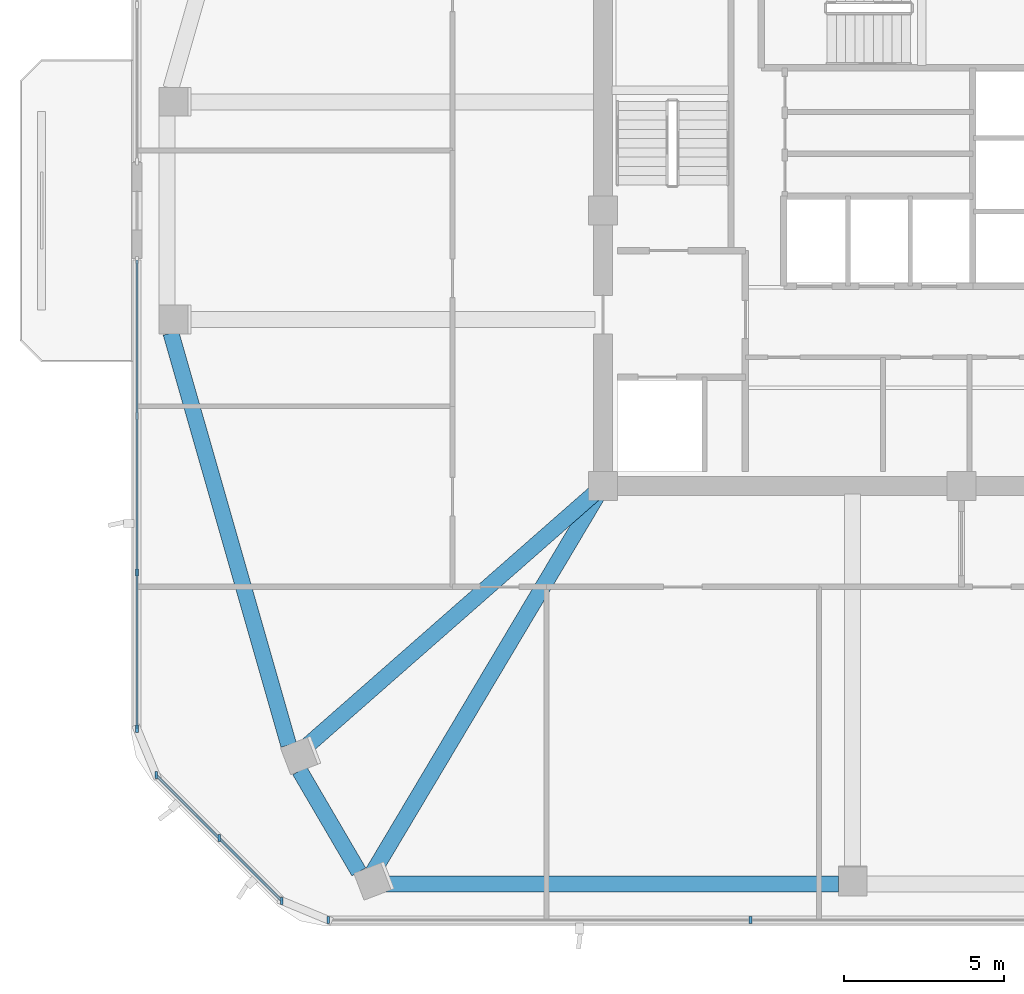
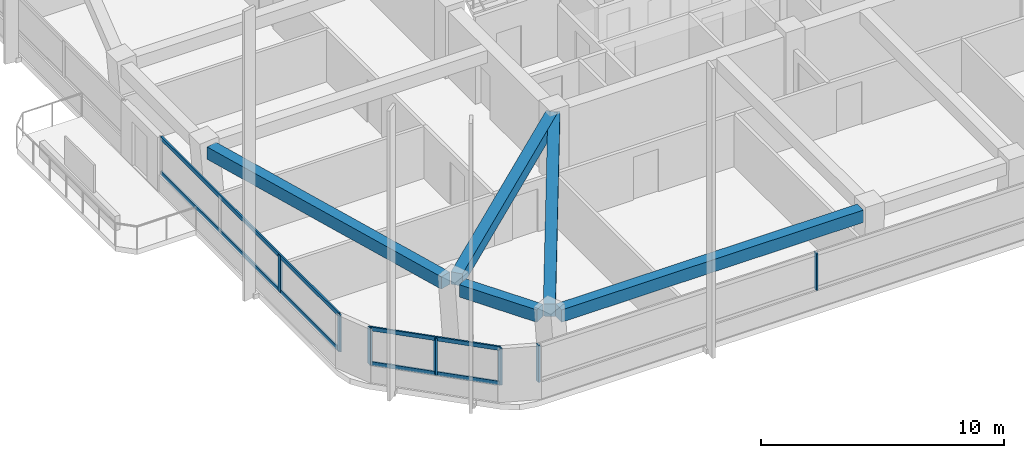
# One storey, part 2 of 17: 11 members, 5 beams, 3 elements without a shape of their own.
"""IFC4 building model written with IfcOpenShell, lengths in metres."""

import ifcopenshell
import ifcopenshell.guid

model = None  # the IFC model being written
_history = None  # IfcOwnerHistory: only IFC2X3 demands one
_inside = {}  # id of a spatial element -> (the spatial element, [elements in it])
_under = {}  # id of a project, library or spatial element -> (it, [spatial elements below it])
_declared = {}  # id of a project -> (the project, [libraries it declares])
_typed = {}  # id of a type object -> (the type object, [elements of that type])
_made_of = {}  # id of a material, layer set ... -> (it, [elements and type objects made of it])


def new_model(schema):
    """Start an empty IFC model of exactly this schema.

    Asked for "IFC4X3", IfcOpenShell would pick the latest addendum, in which some entities
    have other attributes; the version numbers below select the first issue.
    IFC2X3 requires an IfcOwnerHistory on every rooted entity: one is made here for all.
    """
    global model, _history
    if schema == "IFC4X3":
        model = ifcopenshell.file(schema_version=(4, 3, 0, 0))
    else:
        model = ifcopenshell.file(schema=schema)
    _inside.clear()
    _under.clear()
    _declared.clear()
    _typed.clear()
    _made_of.clear()
    _history = None
    if model.schema == "IFC2X3":
        org = make("IfcOrganization", Name="unknown")
        user = make(
            "IfcPersonAndOrganization",
            ThePerson=make("IfcPerson", FamilyName="unknown"),
            TheOrganization=org,
        )
        app = make(
            "IfcApplication",
            ApplicationDeveloper=org,
            Version="unknown",
            ApplicationFullName="unknown",
            ApplicationIdentifier="unknown",
        )
        _history = make(
            "IfcOwnerHistory",
            OwningUser=user,
            OwningApplication=app,
            ChangeAction="ADDED",
            CreationDate=0,
        )
    return model


def make(cls, **values):
    """One entity of the class cls with the attributes given. An attribute that is None is left unset."""
    return model.create_entity(
        cls, **{name: value for name, value in values.items() if value is not None}
    )


def rooted(cls, **values):
    """An entity with a GlobalId (a new one), such as an element, a storey or a relation."""
    return make(cls, GlobalId=ifcopenshell.guid.new(), OwnerHistory=_history, **values)


def si_unit(unit_type, name, prefix=None):
    """IfcSIUnit, for example si_unit("LENGTHUNIT", "METRE", prefix="MILLI")."""
    return make("IfcSIUnit", UnitType=unit_type, Prefix=prefix, Name=name)


def derived_unit(unit_type, elements):
    """IfcDerivedUnit: a product of units, each with its exponent."""
    return make(
        "IfcDerivedUnit",
        Elements=[
            make("IfcDerivedUnitElement", Unit=unit, Exponent=power)
            for unit, power in elements
        ],
        UnitType=unit_type,
    )


def assignment(units):
    """IfcUnitAssignment: the units of a project."""
    return None if units is None else make("IfcUnitAssignment", Units=units)


def point(xyz):
    """IfcCartesianPoint."""
    return None if xyz is None else make("IfcCartesianPoint", Coordinates=xyz)


def direction(xyz):
    """IfcDirection."""
    return None if xyz is None else make("IfcDirection", DirectionRatios=xyz)


def frame(location, z_axis=None, x_axis=None):
    """IfcAxis2Placement3D, a coordinate frame: its origin and axes. An axis left out is left unset."""
    return make(
        "IfcAxis2Placement3D",
        Location=point(location),
        Axis=direction(z_axis),
        RefDirection=direction(x_axis),
    )


def frame_2d(location, x_axis=None):
    """IfcAxis2Placement2D, a coordinate frame in the plane: its origin and x axis."""
    return make(
        "IfcAxis2Placement2D", Location=point(location), RefDirection=direction(x_axis)
    )


def origin():
    """The frame at (0, 0, 0) with its axes left unset."""
    return frame((0.0, 0.0, 0.0))


def origin_2d():
    """The frame at (0, 0) in the plane with its x axis left unset."""
    return frame_2d((0.0, 0.0))


def place(relative_to, where):
    """IfcLocalPlacement: puts the frame where relative to a parent placement (None: the world)."""
    return make(
        "IfcLocalPlacement", PlacementRelTo=relative_to, RelativePlacement=where
    )


def context(
    kind, dimensions, precision=None, world=None, true_north=None, identifier=None
):
    """IfcGeometricRepresentationContext, for example the 3D "Model" context."""
    return make(
        "IfcGeometricRepresentationContext",
        ContextIdentifier=identifier,
        ContextType=kind,
        CoordinateSpaceDimension=dimensions,
        Precision=precision,
        WorldCoordinateSystem=world,
        TrueNorth=true_north,
    )


def subcontext(parent, identifier, kind, view, scale=None):
    """IfcGeometricRepresentationSubContext, for example "Body" below "Model"."""
    return make(
        "IfcGeometricRepresentationSubContext",
        ContextIdentifier=identifier,
        ContextType=kind,
        ParentContext=parent,
        TargetScale=scale,
        TargetView=view,
    )


def project(units=None, contexts=None):
    """IfcProject with its units and contexts."""
    return rooted(
        "IfcProject",
        Name="project",
        RepresentationContexts=contexts,
        UnitsInContext=assignment(units),
    )


def spatial(cls, under=None, at=None, **own):
    """A site, building, storey or space (cls), placed at a placement, below another one or the project."""
    s = rooted(cls, ObjectPlacement=at, **own)
    if under is not None:
        _under.setdefault(under.id(), (under, []))[1].append(s)
    return s


def profile(cls, at=None, kind="AREA", **sizes):
    """A parametric profile (cls). Its sizes go by their IFC names, for example OverallWidth=200.0."""
    return make(cls, ProfileType=kind, Position=at, **sizes)


def rectangle(**sizes):
    """IfcRectangleProfileDef."""
    return profile("IfcRectangleProfileDef", **sizes)


def extrude(swept, where, along, depth):
    """IfcExtrudedAreaSolid: the profile swept, set in the frame where, extruded along a direction by depth."""
    return make(
        "IfcExtrudedAreaSolid",
        SweptArea=swept,
        Position=where,
        ExtrudedDirection=direction(along),
        Depth=depth,
    )


def shape(context_of_items, identifier, shape_type, items):
    """IfcShapeRepresentation: the items that make up one representation, for example the "Body"."""
    return make(
        "IfcShapeRepresentation",
        ContextOfItems=context_of_items,
        RepresentationIdentifier=identifier,
        RepresentationType=shape_type,
        Items=items,
    )


def material(Name=None, Category=None):
    """IfcMaterial."""
    return make("IfcMaterial", Name=Name, Category=Category)


def material_profile(
    of_material, cross_section, Name=None, Category=None, Priority=None
):
    """IfcMaterialProfile: a cross section and its material."""
    return make(
        "IfcMaterialProfile",
        Name=Name,
        Material=of_material,
        Profile=cross_section,
        Priority=Priority,
        Category=Category,
    )


def profile_set(profiles, Name=None, composite=None):
    """IfcMaterialProfileSet."""
    return make(
        "IfcMaterialProfileSet",
        Name=Name,
        MaterialProfiles=profiles,
        CompositeProfile=composite,
    )


def made_of(thing, what):
    """Note that an element or type object is made of a material, layer set ...; save() writes the relation."""
    if what is not None:
        _made_of.setdefault(what.id(), (what, []))[1].append(thing)
    return thing


def type_object(cls, material=None, **own):
    """A type object (cls), such as IfcWallType, which elements share."""
    return made_of(rooted(cls, **own), material)


def element(
    cls,
    number,
    at=None,
    inside=None,
    cuts=None,
    type_object=None,
    material=None,
    context=None,
    identifier="Body",
    shape_type=None,
    held_by="IfcProductDefinitionShape",
    body=None,
    shapes=None,
    **own,
):
    """One element of the class cls, such as IfcWall. Its Tag is "e" and its number.

    at: its placement. inside: the storey or other place that contains it. cuts: it is an
    opening in that element (IfcRelVoidsElement). A single representation is given by context,
    identifier, shape_type and body (its items); several are given by shapes. held_by: the class
    of the entity that holds the representations. save() writes the other relations.
    """
    e = rooted(cls, Tag="e%d" % number, ObjectPlacement=at, **own)
    if body is not None:
        shapes = [shape(context, identifier, shape_type, body)]
    if shapes is not None:
        e.Representation = make(held_by, Representations=shapes)
    if inside is not None:
        _inside.setdefault(inside.id(), (inside, []))[1].append(e)
    if cuts is not None:
        rooted(
            "IfcRelVoidsElement", RelatingBuildingElement=cuts, RelatedOpeningElement=e
        )
    if type_object is not None:
        _typed.setdefault(type_object.id(), (type_object, []))[1].append(e)
    return made_of(e, material)


def aggregate(whole, parts):
    """IfcRelAggregates: a whole, such as a stair, and the parts it consists of."""
    return rooted("IfcRelAggregates", RelatingObject=whole, RelatedObjects=parts)


def save(model, path):
    """Write the relations noted so far, then the file.

    IfcRelAggregates (storeys below a building ...), IfcRelContainedInSpatialStructure (elements
    in a storey), IfcRelDefinesByType, IfcRelAssociatesMaterial and IfcRelDeclares: one each for
    every whole, place, type object, material and project.
    """
    for whole, parts in _under.values():
        aggregate(whole, parts)
    for where, things in _inside.values():
        rooted(
            "IfcRelContainedInSpatialStructure",
            RelatedElements=things,
            RelatingStructure=where,
        )
    for kind, things in _typed.values():
        rooted("IfcRelDefinesByType", RelatedObjects=things, RelatingType=kind)
    for what, things in _made_of.values():
        rooted("IfcRelAssociatesMaterial", RelatedObjects=things, RelatingMaterial=what)
    for by, libraries in _declared.values():
        rooted("IfcRelDeclares", RelatingContext=by, RelatedDefinitions=libraries)
    model.write(path)


model = new_model("IFC4")

# Units and contexts
model_context = context("Model", 3, precision=1e-05, world=origin(), true_north=direction((0.0, 1.0)))
body_context = subcontext(model_context, "Body", "Model", "MODEL_VIEW")
ifc_project = project(units=[si_unit("LENGTHUNIT", "METRE"), si_unit("AREAUNIT", "SQUARE_METRE"), si_unit("VOLUMEUNIT", "CUBIC_METRE"), si_unit("PLANEANGLEUNIT", "RADIAN"), si_unit("MASSUNIT", "GRAM", prefix="KILO"), derived_unit("THERMALTRANSMITTANCEUNIT", [(si_unit("POWERUNIT", "WATT"), 1), (si_unit("LENGTHUNIT", "METRE"), -2), (si_unit("THERMODYNAMICTEMPERATUREUNIT", "KELVIN"), -1)])], contexts=[model_context])

# Site, building, storey
site_placement = place(None, origin())
site = spatial("IfcSite", under=ifc_project, at=site_placement, CompositionType="ELEMENT")
building_placement = place(site_placement, origin())
building = spatial("IfcBuilding", under=site, at=building_placement, Name="Koralith Skygarden Medical Center", CompositionType="ELEMENT")
storey_placement = place(building_placement, frame((0.0, 0.0, 207.179931640625)))
storey = spatial("IfcBuildingStorey", under=building, at=storey_placement, Name="L53", CompositionType="ELEMENT", Elevation=207.179931640625)

# Curtain wall, members
ifc_material_1 = material(Name="Clear Laminated Glass", Category="glass")
curtain_wall_type = type_object("IfcCurtainWallType", Name="CW-5 Zone 4 Flare Biophilic Curtain Wall", PredefinedType="NOTDEFINED", material=ifc_material_1)
curtain_wall_1_placement = place(storey_placement, origin())
curtain_wall_1 = element("IfcCurtainWall", 1, at=curtain_wall_1_placement, inside=storey, type_object=curtain_wall_type, Name="Curtain Wall CW-L53-S", PredefinedType="NOTDEFINED")
ifc_material_2 = material(Name="Aluminium 6063-T6", Category="aluminium")
ifc_material_profile_1 = material_profile(ifc_material_2, rectangle(XDim=0.080078125, YDim=0.219970703125, at=origin_2d()), Name="MUL80X220")
ifc_profile_set_1 = profile_set([ifc_material_profile_1], Name="Aluminium 6063-T6")
member_type_1 = type_object("IfcMemberType", Name="CW-5 Extruded Mullion 80x220", PredefinedType="MULLION", material=ifc_profile_set_1)
member_1_placement = place(storey_placement, frame((17.222900390625, 3.742919921875, 0.85009765625), z_axis=(0.0, 0.0, 1.0), x_axis=(1.0, 0.0, 0.0)))
member_1 = element("IfcMember", 2, at=member_1_placement, type_object=member_type_1, Name="CW-L53-S Mullion 1", PredefinedType="MULLION", context=body_context, shape_type="SweptSolid", body=[
    extrude(rectangle(XDim=0.080078125, YDim=0.219970703125, at=origin_2d()), origin(), (0.0, 0.0, 1.0), 1.840087890625),
])
member_2_placement = place(storey_placement, frame((30.407958984375, 3.742919921875, 0.85009765625), z_axis=(0.0, 0.0, 1.0), x_axis=(1.0, 0.0, 0.0)))
member_2 = element("IfcMember", 3, at=member_2_placement, type_object=member_type_1, Name="CW-L53-S Mullion 2", PredefinedType="MULLION", context=body_context, shape_type="SweptSolid", body=[
    extrude(rectangle(XDim=0.080078125, YDim=0.219970703125, at=origin_2d()), origin(), (0.0, 0.0, 1.0), 1.840087890625),
])
aggregate(curtain_wall_1, [member_1, member_2])

curtain_wall_2_placement = place(storey_placement, origin())
curtain_wall_2 = element("IfcCurtainWall", 4, at=curtain_wall_2_placement, inside=storey, type_object=curtain_wall_type, Name="Curtain Wall CW-L53-W-R", PredefinedType="NOTDEFINED")
member_3_placement = place(storey_placement, frame((11.2470703125, 14.59912109375, 0.85009765625), z_axis=(0.0, 0.0, 1.0), x_axis=(1.0, 0.0, 0.0)))
member_3 = element("IfcMember", 5, at=member_3_placement, type_object=member_type_1, Name="CW-L53-W-R Mullion 3", PredefinedType="MULLION", context=body_context, shape_type="SweptSolid", body=[
    extrude(rectangle(XDim=0.080078125, YDim=0.219970703125, at=origin_2d()), origin(), (0.0, 0.0, 1.0), 1.840087890625),
])
member_4_placement = place(storey_placement, frame((11.2470703125, 9.718017578125, 0.85009765625), z_axis=(0.0, 0.0, 1.0), x_axis=(1.0, 0.0, 0.0)))
member_4 = element("IfcMember", 6, at=member_4_placement, type_object=member_type_1, Name="CW-L53-W-R Mullion 4", PredefinedType="MULLION", context=body_context, shape_type="SweptSolid", body=[
    extrude(rectangle(XDim=0.080078125, YDim=0.219970703125, at=origin_2d()), origin(), (0.0, 0.0, 1.0), 1.840087890625),
])

curtain_wall_3_placement = place(storey_placement, origin())
curtain_wall_3 = element("IfcCurtainWall", 7, at=curtain_wall_3_placement, inside=storey, type_object=curtain_wall_type, Name="Curtain Wall CW-L53-SW", PredefinedType="NOTDEFINED")
member_5_placement = place(storey_placement, frame((11.84912109375, 8.26708984375, 0.85009765625), z_axis=(0.0, 0.0, 1.0), x_axis=(1.0, 0.0, 0.0)))
member_5 = element("IfcMember", 8, at=member_5_placement, type_object=member_type_1, Name="CW-L53-SW Mullion 1", PredefinedType="MULLION", context=body_context, shape_type="SweptSolid", body=[
    extrude(rectangle(XDim=0.080078125, YDim=0.219970703125, at=origin_2d()), origin(), (0.0, 0.0, 1.0), 1.840087890625),
])
member_6_placement = place(storey_placement, frame((13.81103515625, 6.305908203125, 0.85009765625), z_axis=(0.0, 0.0, 1.0), x_axis=(1.0, 0.0, 0.0)))
member_6 = element("IfcMember", 9, at=member_6_placement, type_object=member_type_1, Name="CW-L53-SW Mullion 2", PredefinedType="MULLION", context=body_context, shape_type="SweptSolid", body=[
    extrude(rectangle(XDim=0.080078125, YDim=0.219970703125, at=origin_2d()), origin(), (0.0, 0.0, 1.0), 1.840087890625),
])
member_7_placement = place(storey_placement, frame((15.77197265625, 4.343994140625, 0.85009765625), z_axis=(0.0, 0.0, 1.0), x_axis=(1.0, 0.0, 0.0)))
member_7 = element("IfcMember", 10, at=member_7_placement, type_object=member_type_1, Name="CW-L53-SW Mullion 3", PredefinedType="MULLION", context=body_context, shape_type="SweptSolid", body=[
    extrude(rectangle(XDim=0.080078125, YDim=0.219970703125, at=origin_2d()), origin(), (0.0, 0.0, 1.0), 1.840087890625),
])

# Member
ifc_material_profile_2 = material_profile(ifc_material_2, rectangle(XDim=0.074951171875, YDim=0.197998046875, at=origin_2d()), Name="TRN75X198")
ifc_profile_set_2 = profile_set([ifc_material_profile_2], Name="Aluminium 6063-T6")
member_type_2 = type_object("IfcMemberType", Name="CW-5 Thermal Transom 75x198", PredefinedType="USERDEFINED", material=ifc_profile_set_2)
member_8_placement = place(storey_placement, frame((11.2470703125, 24.361083984375, 0.900146484375), z_axis=(0.0, -1.0, 0.0), x_axis=(1.0, 0.0, 0.0)))
member_8 = element("IfcMember", 11, at=member_8_placement, type_object=member_type_2, Name="CW-L53-W-R Transom 1", ObjectType="TRANSOM", PredefinedType="USERDEFINED", context=body_context, shape_type="SweptSolid", body=[
    extrude(rectangle(XDim=0.074951171875, YDim=0.197998046875, at=origin_2d()), origin(), (0.0, 0.0, 1.0), 14.64306640625),
])

member_9_placement = place(storey_placement, frame((11.2470703125, 24.361083984375, 2.64013671875), z_axis=(0.0, -1.0, 0.0), x_axis=(1.0, 0.0, 0.0)))
member_9 = element("IfcMember", 12, at=member_9_placement, type_object=member_type_2, Name="CW-L53-W-R Transom 2", ObjectType="TRANSOM", PredefinedType="USERDEFINED", context=body_context, shape_type="SweptSolid", body=[
    extrude(rectangle(XDim=0.074951171875, YDim=0.197998046875, at=origin_2d()), origin(), (0.0, 0.0, 1.0), 14.64306640625),
])

aggregate(curtain_wall_2, [member_3, member_4, member_8, member_9])

member_10_placement = place(storey_placement, frame((11.84912109375, 8.26708984375, 0.900146484375), z_axis=(0.707084777957, -0.707128783731, 0.0), x_axis=(0.707128783731, 0.707084777957, 0.0)))
member_10 = element("IfcMember", 13, at=member_10_placement, type_object=member_type_2, Name="CW-L53-SW Transom 1", ObjectType="TRANSOM", PredefinedType="USERDEFINED", context=body_context, shape_type="SweptSolid", body=[
    extrude(rectangle(XDim=0.074951171875, YDim=0.197998046875, at=origin_2d()), origin(), (0.0, 0.0, 1.0), 5.5478515625),
])

member_11_placement = place(storey_placement, frame((11.84912109375, 8.26708984375, 2.64013671875), z_axis=(0.707084777957, -0.707128783731, 0.0), x_axis=(0.707128783731, 0.707084777957, 0.0)))
member_11 = element("IfcMember", 14, at=member_11_placement, type_object=member_type_2, Name="CW-L53-SW Transom 2", ObjectType="TRANSOM", PredefinedType="USERDEFINED", context=body_context, shape_type="SweptSolid", body=[
    extrude(rectangle(XDim=0.074951171875, YDim=0.197998046875, at=origin_2d()), origin(), (0.0, 0.0, 1.0), 5.5478515625),
])

aggregate(curtain_wall_3, [member_5, member_6, member_7, member_10, member_11])

# Beams
ifc_material_3 = material(Name="Concrete C45/55", Category="concrete")
ifc_material_profile_3 = material_profile(ifc_material_3, rectangle(XDim=0.5, YDim=0.6201171875, at=origin_2d()), Name="RCB500X620")
ifc_profile_set_3 = profile_set([ifc_material_profile_3], Name="Concrete C45/55")
beam_type_1 = type_object("IfcBeamType", Name="Upper Radial Collector Beam RCB500X620", PredefinedType="BEAM", material=ifc_profile_set_3)
beam_1_placement = place(storey_placement, frame((25.612060546875, 17.135009765625, 3.010009765625), z_axis=(-0.751395256658, -0.659852383697, 0.0), x_axis=(0.659852383697, -0.751395256658, 0.0)))
element("IfcBeam", 15, at=beam_1_placement, inside=storey, type_object=beam_type_1, Name="L53 Radial Collector Beam RB-02", PredefinedType="BEAM", context=body_context, shape_type="SweptSolid", body=[
    extrude(rectangle(XDim=0.5, YDim=0.6201171875, at=origin_2d()), origin(), (0.0, 0.0, 1.0), 12.2119140625),
])
beam_2_placement = place(storey_placement, frame((25.672119140625, 17.0849609375, 3.010009765625), z_axis=(-0.51161903501, -0.859212408555, 0.0), x_axis=(0.859212408555, -0.51161903501, 0.0)))
element("IfcBeam", 16, at=beam_2_placement, inside=storey, type_object=beam_type_1, Name="L53 Radial Collector Beam RB-03", PredefinedType="BEAM", context=body_context, shape_type="SweptSolid", body=[
    extrude(rectangle(XDim=0.5, YDim=0.6201171875, at=origin_2d()), origin(), (0.0, 0.0, 1.0), 13.77978515625),
])
ifc_material_profile_4 = material_profile(ifc_material_3, rectangle(XDim=0.5, YDim=0.6201171875, at=origin_2d()), Name="RCB500X620")
ifc_profile_set_4 = profile_set([ifc_material_profile_4], Name="Concrete C45/55")
beam_type_2 = type_object("IfcBeamType", Name="Zone 4-5 Spandrel Beam RCB500X620", PredefinedType="SPANDREL", material=ifc_profile_set_4)
beam_3_placement = place(storey_placement, frame((12.305908203125, 22.076904296875, 3.010009765625), z_axis=(0.274839192622, -0.961490207022, 0.0), x_axis=(0.961490207022, 0.274839192622, 0.0)))
element("IfcBeam", 17, at=beam_3_placement, inside=storey, type_object=beam_type_2, Name="L53 Perimeter Spandrel Beam SP-01", PredefinedType="SPANDREL", context=body_context, shape_type="SweptSolid", body=[
    extrude(rectangle(XDim=0.5, YDim=0.6201171875, at=origin_2d()), origin(), (0.0, 0.0, 1.0), 13.38232421875),
])
beam_4_placement = place(storey_placement, frame((16.326904296875, 8.406982421875, 3.010009765625), z_axis=(0.504861750403, -0.863200216045, 0.0), x_axis=(0.863200216045, 0.504861750403, 0.0)))
element("IfcBeam", 18, at=beam_4_placement, inside=storey, type_object=beam_type_2, Name="L53 Perimeter Spandrel Beam SP-02", PredefinedType="SPANDREL", context=body_context, shape_type="SweptSolid", body=[
    extrude(rectangle(XDim=0.5, YDim=0.6201171875, at=origin_2d()), origin(), (0.0, 0.0, 1.0), 3.66064453125),
])
beam_5_placement = place(storey_placement, frame((18.8369140625, 4.866943359375, 3.010009765625), z_axis=(1.0, 0.0, 0.0), x_axis=(0.0, 1.0, 0.0)))
element("IfcBeam", 19, at=beam_5_placement, inside=storey, type_object=beam_type_2, Name="L53 Perimeter Spandrel Beam SP-03", PredefinedType="SPANDREL", context=body_context, shape_type="SweptSolid", body=[
    extrude(rectangle(XDim=0.5, YDim=0.6201171875, at=origin_2d()), origin(), (0.0, 0.0, 1.0), 14.322998046875),
])

save(model, "model.ifc")
